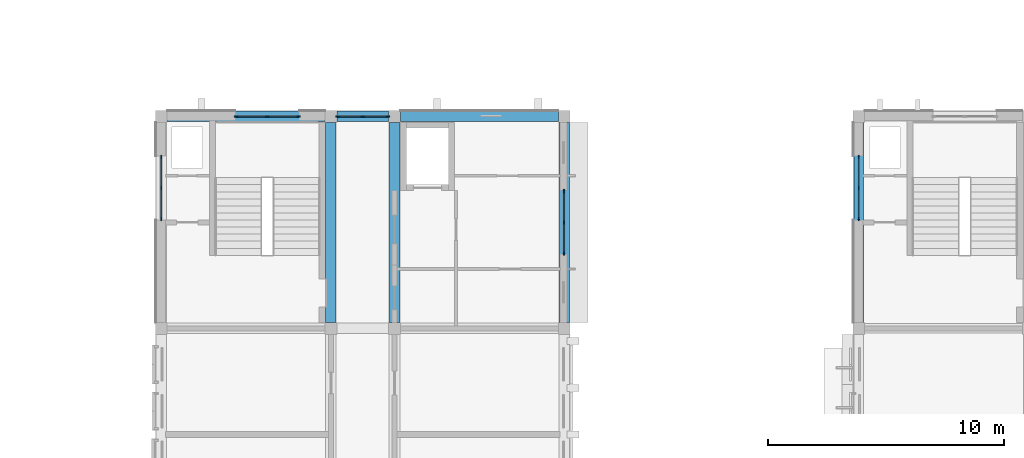
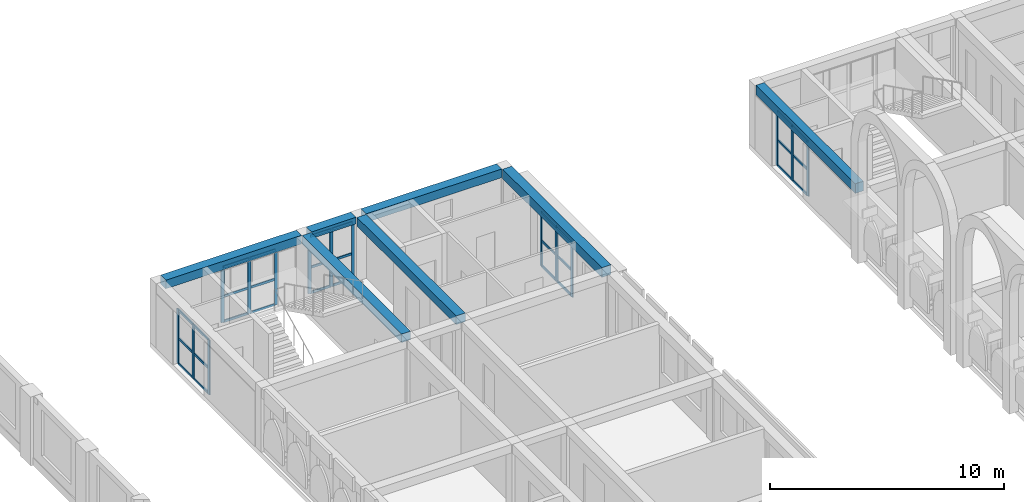
# One storey, part 19 of 70: 45 members, 7 beams, 5 elements without a shape of their own.
"""IFC4 building model written with IfcOpenShell, lengths in metres."""

from ifc_helpers import new_model, si_unit, direction, frame, origin, origin_2d, place, context, subcontext, project, spatial, rectangle, extrude, material, layer, layer_set, material_profile, profile_set, type_object, element, aggregate, save


model = new_model("IFC4")

# Units and contexts
model_context = context("Model", 3, precision=1e-05, world=origin(), true_north=direction((0.0, 1.0)))
body_context = subcontext(model_context, "Body", "Model", "MODEL_VIEW")
ifc_project = project(units=[si_unit("LENGTHUNIT", "METRE"), si_unit("AREAUNIT", "SQUARE_METRE"), si_unit("VOLUMEUNIT", "CUBIC_METRE"), si_unit("PLANEANGLEUNIT", "RADIAN"), si_unit("MASSUNIT", "GRAM", prefix="KILO")], contexts=[model_context])

# Site, building, storey
site_placement = place(None, origin())
site = spatial("IfcSite", under=ifc_project, at=site_placement, CompositionType="ELEMENT")
building_placement = place(site_placement, origin())
building = spatial("IfcBuilding", under=site, at=building_placement, Name="Elbe Cascade School", CompositionType="ELEMENT")
storey_placement = place(building_placement, frame((0.0, 0.0, 8.10009765625)))
storey = spatial("IfcBuildingStorey", under=building, at=storey_placement, Name="L02", CompositionType="ELEMENT", Elevation=8.10009765625)

# Curtain wall, members
ifc_material_1 = material(Name="Aluminium frame with double glazing, bronze anodised", Category="aluminium")
ifc_layer = layer(ifc_material_1, 0.159912109375)
ifc_layer_set = layer_set([ifc_layer], Name="Aluminium frame with double glazing, bronze anodised")
curtain_wall_type = type_object("IfcCurtainWallType", Name="Bars envelope Curtain wall, aluminium, bronze anodised, storey-high slot", PredefinedType="NOTDEFINED", material=ifc_layer_set)
curtain_wall_1_placement = place(storey_placement, origin())
curtain_wall_1 = element("IfcCurtainWall", 1, at=curtain_wall_1_placement, inside=storey, type_object=curtain_wall_type, Name="Curtain wall CW4 A.L02.w6", PredefinedType="NOTDEFINED")
ifc_material_2 = material(Name="Aluminium mullion, bronze anodised", Category="aluminium")
ifc_material_profile_1 = material_profile(ifc_material_2, rectangle(XDim=0.06005859375, YDim=0.159912109375, at=origin_2d()), Name="Bars envelope Curtain wall mullion 60 x 160, aluminium, storey-high slot")
ifc_profile_set_1 = profile_set([ifc_material_profile_1], Name="Aluminium mullion, bronze anodised")
member_type_1 = type_object("IfcMemberType", Name="Bars envelope Curtain wall mullion 60 x 160, aluminium, storey-high slot", PredefinedType="MULLION", material=ifc_profile_set_1)
member_1_placement = place(storey_placement, frame((69.0, 55.639892578125, 0.0), z_axis=(0.0, 0.0, 1.0), x_axis=(-1.0, 0.0, 0.0)))
member_1 = element("IfcMember", 2, at=member_1_placement, type_object=member_type_1, Name="CW4 mullion 1", PredefinedType="MULLION", context=body_context, shape_type="SweptSolid", body=[
    extrude(rectangle(XDim=0.06005859375, YDim=0.159912109375, at=origin_2d()), origin(), (0.0, 0.0, 1.0), 2.849853515625),
])
member_2_placement = place(storey_placement, frame((69.0, 56.9599609375, 0.0), z_axis=(0.0, 0.0, 1.0), x_axis=(-1.0, 0.0, 0.0)))
member_2 = element("IfcMember", 3, at=member_2_placement, type_object=member_type_1, Name="CW4 mullion 2", PredefinedType="MULLION", context=body_context, shape_type="SweptSolid", body=[
    extrude(rectangle(XDim=0.06005859375, YDim=0.159912109375, at=origin_2d()), origin(), (0.0, 0.0, 1.0), 2.849853515625),
])
member_3_placement = place(storey_placement, frame((69.0, 58.280029296875, 0.0), z_axis=(0.0, 0.0, 1.0), x_axis=(-1.0, 0.0, 0.0)))
member_3 = element("IfcMember", 4, at=member_3_placement, type_object=member_type_1, Name="CW4 mullion 3", PredefinedType="MULLION", context=body_context, shape_type="SweptSolid", body=[
    extrude(rectangle(XDim=0.06005859375, YDim=0.159912109375, at=origin_2d()), origin(), (0.0, 0.0, 1.0), 2.849853515625),
])

curtain_wall_2_placement = place(storey_placement, origin())
curtain_wall_2 = element("IfcCurtainWall", 5, at=curtain_wall_2_placement, inside=storey, type_object=curtain_wall_type, Name="Curtain wall CW4 A.L02.e6", PredefinedType="NOTDEFINED")
member_4_placement = place(storey_placement, frame((86.10009765625, 56.820068359375, 0.0), z_axis=(0.0, 0.0, 1.0), x_axis=(1.0, 0.0, 0.0)))
member_4 = element("IfcMember", 6, at=member_4_placement, type_object=member_type_1, Name="CW4 mullion 1", PredefinedType="MULLION", context=body_context, shape_type="SweptSolid", body=[
    extrude(rectangle(XDim=0.06005859375, YDim=0.159912109375, at=origin_2d()), origin(), (0.0, 0.0, 1.0), 2.849853515625),
])
member_5_placement = place(storey_placement, frame((86.10009765625, 55.5, 0.0), z_axis=(0.0, 0.0, 1.0), x_axis=(1.0, 0.0, 0.0)))
member_5 = element("IfcMember", 7, at=member_5_placement, type_object=member_type_1, Name="CW4 mullion 2", PredefinedType="MULLION", context=body_context, shape_type="SweptSolid", body=[
    extrude(rectangle(XDim=0.06005859375, YDim=0.159912109375, at=origin_2d()), origin(), (0.0, 0.0, 1.0), 2.849853515625),
])
member_6_placement = place(storey_placement, frame((86.10009765625, 54.179931640625, 0.0), z_axis=(0.0, 0.0, 1.0), x_axis=(1.0, 0.0, 0.0)))
member_6 = element("IfcMember", 8, at=member_6_placement, type_object=member_type_1, Name="CW4 mullion 3", PredefinedType="MULLION", context=body_context, shape_type="SweptSolid", body=[
    extrude(rectangle(XDim=0.06005859375, YDim=0.159912109375, at=origin_2d()), origin(), (0.0, 0.0, 1.0), 2.849853515625),
])

curtain_wall_3_placement = place(storey_placement, origin())
curtain_wall_3 = element("IfcCurtainWall", 9, at=curtain_wall_3_placement, inside=storey, type_object=curtain_wall_type, Name="Curtain wall CW4 A.L02.n1", PredefinedType="NOTDEFINED")
member_7_placement = place(storey_placement, frame((72.179931640625, 60.0, 0.0), z_axis=(0.0, 0.0, 1.0), x_axis=(0.0, 1.0, 0.0)))
member_7 = element("IfcMember", 10, at=member_7_placement, type_object=member_type_1, Name="CW4 mullion 1", PredefinedType="MULLION", context=body_context, shape_type="SweptSolid", body=[
    extrude(rectangle(XDim=0.06005859375, YDim=0.159912109375, at=origin_2d()), origin(), (0.0, 0.0, 1.0), 2.89990234375),
])
member_8_placement = place(storey_placement, frame((73.5, 60.0, 0.0), z_axis=(0.0, 0.0, 1.0), x_axis=(0.0, 1.0, 0.0)))
member_8 = element("IfcMember", 11, at=member_8_placement, type_object=member_type_1, Name="CW4 mullion 2", PredefinedType="MULLION", context=body_context, shape_type="SweptSolid", body=[
    extrude(rectangle(XDim=0.06005859375, YDim=0.159912109375, at=origin_2d()), origin(), (0.0, 0.0, 1.0), 2.89990234375),
])
member_9_placement = place(storey_placement, frame((74.820068359375, 60.0, 0.0), z_axis=(0.0, 0.0, 1.0), x_axis=(0.0, 1.0, 0.0)))
member_9 = element("IfcMember", 12, at=member_9_placement, type_object=member_type_1, Name="CW4 mullion 3", PredefinedType="MULLION", context=body_context, shape_type="SweptSolid", body=[
    extrude(rectangle(XDim=0.06005859375, YDim=0.159912109375, at=origin_2d()), origin(), (0.0, 0.0, 1.0), 2.89990234375),
])

curtain_wall_4_placement = place(storey_placement, origin())
curtain_wall_4 = element("IfcCurtainWall", 13, at=curtain_wall_4_placement, inside=storey, type_object=curtain_wall_type, Name="Curtain wall CW4 A.L02.n2", PredefinedType="NOTDEFINED")
member_10_placement = place(storey_placement, frame((76.47998046875, 60.0, 0.0), z_axis=(0.0, 0.0, 1.0), x_axis=(0.0, 1.0, 0.0)))
member_10 = element("IfcMember", 14, at=member_10_placement, type_object=member_type_1, Name="CW4 mullion 1", PredefinedType="MULLION", context=body_context, shape_type="SweptSolid", body=[
    extrude(rectangle(XDim=0.06005859375, YDim=0.159912109375, at=origin_2d()), origin(), (0.0, 0.0, 1.0), 3.0),
])
member_11_placement = place(storey_placement, frame((77.550048828125, 60.0, 0.0), z_axis=(0.0, 0.0, 1.0), x_axis=(0.0, 1.0, 0.0)))
member_11 = element("IfcMember", 15, at=member_11_placement, type_object=member_type_1, Name="CW4 mullion 2", PredefinedType="MULLION", context=body_context, shape_type="SweptSolid", body=[
    extrude(rectangle(XDim=0.06005859375, YDim=0.159912109375, at=origin_2d()), origin(), (0.0, 0.0, 1.0), 3.0),
])
member_12_placement = place(storey_placement, frame((78.6201171875, 60.0, 0.0), z_axis=(0.0, 0.0, 1.0), x_axis=(0.0, 1.0, 0.0)))
member_12 = element("IfcMember", 16, at=member_12_placement, type_object=member_type_1, Name="CW4 mullion 3", PredefinedType="MULLION", context=body_context, shape_type="SweptSolid", body=[
    extrude(rectangle(XDim=0.06005859375, YDim=0.159912109375, at=origin_2d()), origin(), (0.0, 0.0, 1.0), 3.0),
])

curtain_wall_5_placement = place(storey_placement, origin())
curtain_wall_5 = element("IfcCurtainWall", 17, at=curtain_wall_5_placement, inside=storey, type_object=curtain_wall_type, Name="Curtain wall CW4 B.L02.w6", PredefinedType="NOTDEFINED")
member_13_placement = place(storey_placement, frame((98.60009765625, 55.639892578125, 0.0), z_axis=(0.0, 0.0, 1.0), x_axis=(-1.0, 0.0, 0.0)))
member_13 = element("IfcMember", 18, at=member_13_placement, type_object=member_type_1, Name="CW4 mullion 1", PredefinedType="MULLION", context=body_context, shape_type="SweptSolid", body=[
    extrude(rectangle(XDim=0.06005859375, YDim=0.159912109375, at=origin_2d()), origin(), (0.0, 0.0, 1.0), 2.849853515625),
])
member_14_placement = place(storey_placement, frame((98.60009765625, 56.9599609375, 0.0), z_axis=(0.0, 0.0, 1.0), x_axis=(-1.0, 0.0, 0.0)))
member_14 = element("IfcMember", 19, at=member_14_placement, type_object=member_type_1, Name="CW4 mullion 2", PredefinedType="MULLION", context=body_context, shape_type="SweptSolid", body=[
    extrude(rectangle(XDim=0.06005859375, YDim=0.159912109375, at=origin_2d()), origin(), (0.0, 0.0, 1.0), 2.849853515625),
])
member_15_placement = place(storey_placement, frame((98.60009765625, 58.280029296875, 0.0), z_axis=(0.0, 0.0, 1.0), x_axis=(-1.0, 0.0, 0.0)))
member_15 = element("IfcMember", 20, at=member_15_placement, type_object=member_type_1, Name="CW4 mullion 3", PredefinedType="MULLION", context=body_context, shape_type="SweptSolid", body=[
    extrude(rectangle(XDim=0.06005859375, YDim=0.159912109375, at=origin_2d()), origin(), (0.0, 0.0, 1.0), 2.849853515625),
])

# Member
ifc_material_3 = material(Name="Aluminium transom, bronze anodised", Category="aluminium")
ifc_material_profile_2 = material_profile(ifc_material_3, rectangle(XDim=0.06005859375, YDim=0.1201171875, at=origin_2d()), Name="Bars envelope Curtain wall transom 60 x 120, aluminium, storey-high slot")
ifc_profile_set_2 = profile_set([ifc_material_profile_2], Name="Aluminium transom, bronze anodised")
member_type_2 = type_object("IfcMemberType", Name="Bars envelope Curtain wall transom 60 x 120, aluminium, storey-high slot", PredefinedType="USERDEFINED", material=ifc_profile_set_2)
member_16_placement = place(storey_placement, frame((69.0, 55.669921875, 0.02978515625), z_axis=(0.0, 1.0, 0.0), x_axis=(-1.0, 0.0, 0.0)))
member_16 = element("IfcMember", 21, at=member_16_placement, type_object=member_type_2, Name="CW4 transom 1.1", ObjectType="TRANSOM", PredefinedType="USERDEFINED", context=body_context, shape_type="SweptSolid", body=[
    extrude(rectangle(XDim=0.06005859375, YDim=0.1201171875, at=origin_2d()), origin(), (0.0, 0.0, 1.0), 1.260009765625),
])

member_17_placement = place(storey_placement, frame((69.0, 55.669921875, 1.349853515625), z_axis=(0.0, 1.0, 0.0), x_axis=(-1.0, 0.0, 0.0)))
member_17 = element("IfcMember", 22, at=member_17_placement, type_object=member_type_2, Name="CW4 transom 1.2", ObjectType="TRANSOM", PredefinedType="USERDEFINED", context=body_context, shape_type="SweptSolid", body=[
    extrude(rectangle(XDim=0.06005859375, YDim=0.1201171875, at=origin_2d()), origin(), (0.0, 0.0, 1.0), 1.260009765625),
])

member_18_placement = place(storey_placement, frame((69.0, 55.669921875, 2.81982421875), z_axis=(0.0, 1.0, 0.0), x_axis=(-1.0, 0.0, 0.0)))
member_18 = element("IfcMember", 23, at=member_18_placement, type_object=member_type_2, Name="CW4 transom 1.3", ObjectType="TRANSOM", PredefinedType="USERDEFINED", context=body_context, shape_type="SweptSolid", body=[
    extrude(rectangle(XDim=0.06005859375, YDim=0.1201171875, at=origin_2d()), origin(), (0.0, 0.0, 1.0), 1.260009765625),
])

member_19_placement = place(storey_placement, frame((69.0, 56.989990234375, 0.02978515625), z_axis=(0.0, 1.0, 0.0), x_axis=(-1.0, 0.0, 0.0)))
member_19 = element("IfcMember", 24, at=member_19_placement, type_object=member_type_2, Name="CW4 transom 2.1", ObjectType="TRANSOM", PredefinedType="USERDEFINED", context=body_context, shape_type="SweptSolid", body=[
    extrude(rectangle(XDim=0.06005859375, YDim=0.1201171875, at=origin_2d()), origin(), (0.0, 0.0, 1.0), 1.260009765625),
])

member_20_placement = place(storey_placement, frame((69.0, 56.989990234375, 1.349853515625), z_axis=(0.0, 1.0, 0.0), x_axis=(-1.0, 0.0, 0.0)))
member_20 = element("IfcMember", 25, at=member_20_placement, type_object=member_type_2, Name="CW4 transom 2.2", ObjectType="TRANSOM", PredefinedType="USERDEFINED", context=body_context, shape_type="SweptSolid", body=[
    extrude(rectangle(XDim=0.06005859375, YDim=0.1201171875, at=origin_2d()), origin(), (0.0, 0.0, 1.0), 1.260009765625),
])

member_21_placement = place(storey_placement, frame((69.0, 56.989990234375, 2.81982421875), z_axis=(0.0, 1.0, 0.0), x_axis=(-1.0, 0.0, 0.0)))
member_21 = element("IfcMember", 26, at=member_21_placement, type_object=member_type_2, Name="CW4 transom 2.3", ObjectType="TRANSOM", PredefinedType="USERDEFINED", context=body_context, shape_type="SweptSolid", body=[
    extrude(rectangle(XDim=0.06005859375, YDim=0.1201171875, at=origin_2d()), origin(), (0.0, 0.0, 1.0), 1.260009765625),
])

aggregate(curtain_wall_1, [member_1, member_2, member_3, member_16, member_17, member_18, member_19, member_20, member_21])

member_22_placement = place(storey_placement, frame((86.10009765625, 56.7900390625, 0.02978515625), z_axis=(0.0, -1.0, 0.0), x_axis=(1.0, 0.0, 0.0)))
member_22 = element("IfcMember", 27, at=member_22_placement, type_object=member_type_2, Name="CW4 transom 1.1", ObjectType="TRANSOM", PredefinedType="USERDEFINED", context=body_context, shape_type="SweptSolid", body=[
    extrude(rectangle(XDim=0.06005859375, YDim=0.1201171875, at=origin_2d()), origin(), (0.0, 0.0, 1.0), 1.260009765625),
])

member_23_placement = place(storey_placement, frame((86.10009765625, 56.7900390625, 1.349853515625), z_axis=(0.0, -1.0, 0.0), x_axis=(1.0, 0.0, 0.0)))
member_23 = element("IfcMember", 28, at=member_23_placement, type_object=member_type_2, Name="CW4 transom 1.2", ObjectType="TRANSOM", PredefinedType="USERDEFINED", context=body_context, shape_type="SweptSolid", body=[
    extrude(rectangle(XDim=0.06005859375, YDim=0.1201171875, at=origin_2d()), origin(), (0.0, 0.0, 1.0), 1.260009765625),
])

member_24_placement = place(storey_placement, frame((86.10009765625, 56.7900390625, 2.81982421875), z_axis=(0.0, -1.0, 0.0), x_axis=(1.0, 0.0, 0.0)))
member_24 = element("IfcMember", 29, at=member_24_placement, type_object=member_type_2, Name="CW4 transom 1.3", ObjectType="TRANSOM", PredefinedType="USERDEFINED", context=body_context, shape_type="SweptSolid", body=[
    extrude(rectangle(XDim=0.06005859375, YDim=0.1201171875, at=origin_2d()), origin(), (0.0, 0.0, 1.0), 1.260009765625),
])

member_25_placement = place(storey_placement, frame((86.10009765625, 55.469970703125, 0.02978515625), z_axis=(0.0, -1.0, 0.0), x_axis=(1.0, 0.0, 0.0)))
member_25 = element("IfcMember", 30, at=member_25_placement, type_object=member_type_2, Name="CW4 transom 2.1", ObjectType="TRANSOM", PredefinedType="USERDEFINED", context=body_context, shape_type="SweptSolid", body=[
    extrude(rectangle(XDim=0.06005859375, YDim=0.1201171875, at=origin_2d()), origin(), (0.0, 0.0, 1.0), 1.260009765625),
])

member_26_placement = place(storey_placement, frame((86.10009765625, 55.469970703125, 1.349853515625), z_axis=(0.0, -1.0, 0.0), x_axis=(1.0, 0.0, 0.0)))
member_26 = element("IfcMember", 31, at=member_26_placement, type_object=member_type_2, Name="CW4 transom 2.2", ObjectType="TRANSOM", PredefinedType="USERDEFINED", context=body_context, shape_type="SweptSolid", body=[
    extrude(rectangle(XDim=0.06005859375, YDim=0.1201171875, at=origin_2d()), origin(), (0.0, 0.0, 1.0), 1.260009765625),
])

member_27_placement = place(storey_placement, frame((86.10009765625, 55.469970703125, 2.81982421875), z_axis=(0.0, -1.0, 0.0), x_axis=(1.0, 0.0, 0.0)))
member_27 = element("IfcMember", 32, at=member_27_placement, type_object=member_type_2, Name="CW4 transom 2.3", ObjectType="TRANSOM", PredefinedType="USERDEFINED", context=body_context, shape_type="SweptSolid", body=[
    extrude(rectangle(XDim=0.06005859375, YDim=0.1201171875, at=origin_2d()), origin(), (0.0, 0.0, 1.0), 1.260009765625),
])

aggregate(curtain_wall_2, [member_4, member_5, member_6, member_22, member_23, member_24, member_25, member_26, member_27])

member_28_placement = place(storey_placement, frame((72.2099609375, 60.0, 0.02978515625), z_axis=(1.0, 0.0, 0.0), x_axis=(0.0, 1.0, 0.0)))
member_28 = element("IfcMember", 33, at=member_28_placement, type_object=member_type_2, Name="CW4 transom 1.1", ObjectType="TRANSOM", PredefinedType="USERDEFINED", context=body_context, shape_type="SweptSolid", body=[
    extrude(rectangle(XDim=0.06005859375, YDim=0.1201171875, at=origin_2d()), origin(), (0.0, 0.0, 1.0), 1.260009765625),
])

member_29_placement = place(storey_placement, frame((72.2099609375, 60.0, 1.349853515625), z_axis=(1.0, 0.0, 0.0), x_axis=(0.0, 1.0, 0.0)))
member_29 = element("IfcMember", 34, at=member_29_placement, type_object=member_type_2, Name="CW4 transom 1.2", ObjectType="TRANSOM", PredefinedType="USERDEFINED", context=body_context, shape_type="SweptSolid", body=[
    extrude(rectangle(XDim=0.06005859375, YDim=0.1201171875, at=origin_2d()), origin(), (0.0, 0.0, 1.0), 1.260009765625),
])

member_30_placement = place(storey_placement, frame((72.2099609375, 60.0, 2.869873046875), z_axis=(1.0, 0.0, 0.0), x_axis=(0.0, 1.0, 0.0)))
member_30 = element("IfcMember", 35, at=member_30_placement, type_object=member_type_2, Name="CW4 transom 1.3", ObjectType="TRANSOM", PredefinedType="USERDEFINED", context=body_context, shape_type="SweptSolid", body=[
    extrude(rectangle(XDim=0.06005859375, YDim=0.1201171875, at=origin_2d()), origin(), (0.0, 0.0, 1.0), 1.260009765625),
])

member_31_placement = place(storey_placement, frame((73.530029296875, 60.0, 0.02978515625), z_axis=(1.0, 0.0, 0.0), x_axis=(0.0, 1.0, 0.0)))
member_31 = element("IfcMember", 36, at=member_31_placement, type_object=member_type_2, Name="CW4 transom 2.1", ObjectType="TRANSOM", PredefinedType="USERDEFINED", context=body_context, shape_type="SweptSolid", body=[
    extrude(rectangle(XDim=0.06005859375, YDim=0.1201171875, at=origin_2d()), origin(), (0.0, 0.0, 1.0), 1.260009765625),
])

member_32_placement = place(storey_placement, frame((73.530029296875, 60.0, 1.349853515625), z_axis=(1.0, 0.0, 0.0), x_axis=(0.0, 1.0, 0.0)))
member_32 = element("IfcMember", 37, at=member_32_placement, type_object=member_type_2, Name="CW4 transom 2.2", ObjectType="TRANSOM", PredefinedType="USERDEFINED", context=body_context, shape_type="SweptSolid", body=[
    extrude(rectangle(XDim=0.06005859375, YDim=0.1201171875, at=origin_2d()), origin(), (0.0, 0.0, 1.0), 1.260009765625),
])

member_33_placement = place(storey_placement, frame((73.530029296875, 60.0, 2.869873046875), z_axis=(1.0, 0.0, 0.0), x_axis=(0.0, 1.0, 0.0)))
member_33 = element("IfcMember", 38, at=member_33_placement, type_object=member_type_2, Name="CW4 transom 2.3", ObjectType="TRANSOM", PredefinedType="USERDEFINED", context=body_context, shape_type="SweptSolid", body=[
    extrude(rectangle(XDim=0.06005859375, YDim=0.1201171875, at=origin_2d()), origin(), (0.0, 0.0, 1.0), 1.260009765625),
])

aggregate(curtain_wall_3, [member_7, member_8, member_9, member_28, member_29, member_30, member_31, member_32, member_33])

member_34_placement = place(storey_placement, frame((76.510009765625, 60.0, 0.02978515625), z_axis=(1.0, 0.0, 0.0), x_axis=(0.0, 1.0, 0.0)))
member_34 = element("IfcMember", 39, at=member_34_placement, type_object=member_type_2, Name="CW4 transom 1.1", ObjectType="TRANSOM", PredefinedType="USERDEFINED", context=body_context, shape_type="SweptSolid", body=[
    extrude(rectangle(XDim=0.06005859375, YDim=0.1201171875, at=origin_2d()), origin(), (0.0, 0.0, 1.0), 1.010009765625),
])

member_35_placement = place(storey_placement, frame((76.510009765625, 60.0, 1.349853515625), z_axis=(1.0, 0.0, 0.0), x_axis=(0.0, 1.0, 0.0)))
member_35 = element("IfcMember", 40, at=member_35_placement, type_object=member_type_2, Name="CW4 transom 1.2", ObjectType="TRANSOM", PredefinedType="USERDEFINED", context=body_context, shape_type="SweptSolid", body=[
    extrude(rectangle(XDim=0.06005859375, YDim=0.1201171875, at=origin_2d()), origin(), (0.0, 0.0, 1.0), 1.010009765625),
])

member_36_placement = place(storey_placement, frame((76.510009765625, 60.0, 2.969970703125), z_axis=(1.0, 0.0, 0.0), x_axis=(0.0, 1.0, 0.0)))
member_36 = element("IfcMember", 41, at=member_36_placement, type_object=member_type_2, Name="CW4 transom 1.3", ObjectType="TRANSOM", PredefinedType="USERDEFINED", context=body_context, shape_type="SweptSolid", body=[
    extrude(rectangle(XDim=0.06005859375, YDim=0.1201171875, at=origin_2d()), origin(), (0.0, 0.0, 1.0), 1.010009765625),
])

member_37_placement = place(storey_placement, frame((77.580078125, 60.0, 0.02978515625), z_axis=(1.0, 0.0, 0.0), x_axis=(0.0, 1.0, 0.0)))
member_37 = element("IfcMember", 42, at=member_37_placement, type_object=member_type_2, Name="CW4 transom 2.1", ObjectType="TRANSOM", PredefinedType="USERDEFINED", context=body_context, shape_type="SweptSolid", body=[
    extrude(rectangle(XDim=0.06005859375, YDim=0.1201171875, at=origin_2d()), origin(), (0.0, 0.0, 1.0), 1.010009765625),
])

member_38_placement = place(storey_placement, frame((77.580078125, 60.0, 1.349853515625), z_axis=(1.0, 0.0, 0.0), x_axis=(0.0, 1.0, 0.0)))
member_38 = element("IfcMember", 43, at=member_38_placement, type_object=member_type_2, Name="CW4 transom 2.2", ObjectType="TRANSOM", PredefinedType="USERDEFINED", context=body_context, shape_type="SweptSolid", body=[
    extrude(rectangle(XDim=0.06005859375, YDim=0.1201171875, at=origin_2d()), origin(), (0.0, 0.0, 1.0), 1.010009765625),
])

member_39_placement = place(storey_placement, frame((77.580078125, 60.0, 2.969970703125), z_axis=(1.0, 0.0, 0.0), x_axis=(0.0, 1.0, 0.0)))
member_39 = element("IfcMember", 44, at=member_39_placement, type_object=member_type_2, Name="CW4 transom 2.3", ObjectType="TRANSOM", PredefinedType="USERDEFINED", context=body_context, shape_type="SweptSolid", body=[
    extrude(rectangle(XDim=0.06005859375, YDim=0.1201171875, at=origin_2d()), origin(), (0.0, 0.0, 1.0), 1.010009765625),
])

aggregate(curtain_wall_4, [member_10, member_11, member_12, member_34, member_35, member_36, member_37, member_38, member_39])

member_40_placement = place(storey_placement, frame((98.60009765625, 55.669921875, 0.02978515625), z_axis=(0.0, 1.0, 0.0), x_axis=(-1.0, 0.0, 0.0)))
member_40 = element("IfcMember", 45, at=member_40_placement, type_object=member_type_2, Name="CW4 transom 1.1", ObjectType="TRANSOM", PredefinedType="USERDEFINED", context=body_context, shape_type="SweptSolid", body=[
    extrude(rectangle(XDim=0.06005859375, YDim=0.1201171875, at=origin_2d()), origin(), (0.0, 0.0, 1.0), 1.260009765625),
])

member_41_placement = place(storey_placement, frame((98.60009765625, 55.669921875, 1.349853515625), z_axis=(0.0, 1.0, 0.0), x_axis=(-1.0, 0.0, 0.0)))
member_41 = element("IfcMember", 46, at=member_41_placement, type_object=member_type_2, Name="CW4 transom 1.2", ObjectType="TRANSOM", PredefinedType="USERDEFINED", context=body_context, shape_type="SweptSolid", body=[
    extrude(rectangle(XDim=0.06005859375, YDim=0.1201171875, at=origin_2d()), origin(), (0.0, 0.0, 1.0), 1.260009765625),
])

member_42_placement = place(storey_placement, frame((98.60009765625, 55.669921875, 2.81982421875), z_axis=(0.0, 1.0, 0.0), x_axis=(-1.0, 0.0, 0.0)))
member_42 = element("IfcMember", 47, at=member_42_placement, type_object=member_type_2, Name="CW4 transom 1.3", ObjectType="TRANSOM", PredefinedType="USERDEFINED", context=body_context, shape_type="SweptSolid", body=[
    extrude(rectangle(XDim=0.06005859375, YDim=0.1201171875, at=origin_2d()), origin(), (0.0, 0.0, 1.0), 1.260009765625),
])

member_43_placement = place(storey_placement, frame((98.60009765625, 56.989990234375, 0.02978515625), z_axis=(0.0, 1.0, 0.0), x_axis=(-1.0, 0.0, 0.0)))
member_43 = element("IfcMember", 48, at=member_43_placement, type_object=member_type_2, Name="CW4 transom 2.1", ObjectType="TRANSOM", PredefinedType="USERDEFINED", context=body_context, shape_type="SweptSolid", body=[
    extrude(rectangle(XDim=0.06005859375, YDim=0.1201171875, at=origin_2d()), origin(), (0.0, 0.0, 1.0), 1.260009765625),
])

member_44_placement = place(storey_placement, frame((98.60009765625, 56.989990234375, 1.349853515625), z_axis=(0.0, 1.0, 0.0), x_axis=(-1.0, 0.0, 0.0)))
member_44 = element("IfcMember", 49, at=member_44_placement, type_object=member_type_2, Name="CW4 transom 2.2", ObjectType="TRANSOM", PredefinedType="USERDEFINED", context=body_context, shape_type="SweptSolid", body=[
    extrude(rectangle(XDim=0.06005859375, YDim=0.1201171875, at=origin_2d()), origin(), (0.0, 0.0, 1.0), 1.260009765625),
])

member_45_placement = place(storey_placement, frame((98.60009765625, 56.989990234375, 2.81982421875), z_axis=(0.0, 1.0, 0.0), x_axis=(-1.0, 0.0, 0.0)))
member_45 = element("IfcMember", 50, at=member_45_placement, type_object=member_type_2, Name="CW4 transom 2.3", ObjectType="TRANSOM", PredefinedType="USERDEFINED", context=body_context, shape_type="SweptSolid", body=[
    extrude(rectangle(XDim=0.06005859375, YDim=0.1201171875, at=origin_2d()), origin(), (0.0, 0.0, 1.0), 1.260009765625),
])

aggregate(curtain_wall_5, [member_13, member_14, member_15, member_40, member_41, member_42, member_43, member_44, member_45])

# Beams
ifc_material_4 = material(Name="Concrete C30/37", Category="concrete")
ifc_material_profile_3 = material_profile(ifc_material_4, rectangle(XDim=0.39990234375, YDim=0.5, at=origin_2d()), Name="RC 400x500")
ifc_profile_set_3 = profile_set([ifc_material_profile_3], Name="Concrete C30/37")
beam_type_1 = type_object("IfcBeamType", Name="RC 400x500 beam", PredefinedType="BEAM", material=ifc_profile_set_3)
beam_1_placement = place(storey_placement, frame((98.60009765625, 51.25, 3.099853515625), z_axis=(0.0, 1.0, 0.0), x_axis=(-1.0, 0.0, 0.0)))
element("IfcBeam", 51, at=beam_1_placement, inside=storey, type_object=beam_type_1, Name="RC 400x500 beam B1", PredefinedType="BEAM", context=body_context, shape_type="SweptSolid", body=[
    extrude(rectangle(XDim=0.39990234375, YDim=0.5, at=origin_2d()), origin(), (0.0, 0.0, 1.0), 8.5),
])
ifc_material_5 = material(Name="Concrete C30/37", Category="concrete")
ifc_material_profile_4 = material_profile(ifc_material_5, rectangle(XDim=0.449951171875, YDim=0.35009765625, at=origin_2d()), Name="RC 450x350")
ifc_profile_set_4 = profile_set([ifc_material_profile_4], Name="Concrete C30/37")
beam_type_2 = type_object("IfcBeamType", Name="RC 450x350 beam", PredefinedType="BEAM", material=ifc_profile_set_4)
beam_2_placement = place(storey_placement, frame((76.449951171875, 60.0, 3.1748046875), z_axis=(1.0, 0.0, 0.0), x_axis=(0.0, 1.0, 0.0)))
element("IfcBeam", 52, at=beam_2_placement, inside=storey, type_object=beam_type_2, Name="RC 450x350 beam B11", PredefinedType="BEAM", context=body_context, shape_type="SweptSolid", body=[
    extrude(rectangle(XDim=0.449951171875, YDim=0.35009765625, at=origin_2d()), origin(), (0.0, 0.0, 1.0), 2.199951171875),
])
ifc_material_6 = material(Name="Concrete C30/37", Category="concrete")
ifc_material_profile_5 = material_profile(ifc_material_6, rectangle(XDim=0.449951171875, YDim=0.449951171875, at=origin_2d()), Name="RC 450x450")
ifc_profile_set_5 = profile_set([ifc_material_profile_5], Name="Concrete C30/37")
beam_type_3 = type_object("IfcBeamType", Name="RC 450x450 beam", PredefinedType="BEAM", material=ifc_profile_set_5)
for number, where, z_axis, x_axis, name in (
    (53, (76.199951171875, 51.25, 3.125), (0.0, 1.0, 0.0), (-1.0, 0.0, 0.0), "RC 450x450 beam B10"),
    (54, (78.89990234375, 51.25, 3.125), (0.0, 1.0, 0.0), (-1.0, 0.0, 0.0), "RC 450x450 beam B10"),
):
    element("IfcBeam", number, at=place(storey_placement, frame(where, z_axis=z_axis, x_axis=x_axis)), inside=storey, type_object=beam_type_3, Name=name, PredefinedType="BEAM", context=body_context, shape_type="SweptSolid", body=[
        extrude(rectangle(XDim=0.449951171875, YDim=0.449951171875, at=origin_2d()), origin(), (0.0, 0.0, 1.0), 8.5),
    ])
beam_3_placement = place(storey_placement, frame((69.25, 60.0, 3.125), z_axis=(1.0, 0.0, 0.0), x_axis=(0.0, 1.0, 0.0)))
element("IfcBeam", 55, at=beam_3_placement, inside=storey, type_object=beam_type_3, Name="RC 450x450 beam B10", PredefinedType="BEAM", context=body_context, shape_type="SweptSolid", body=[
    extrude(rectangle(XDim=0.449951171875, YDim=0.449951171875, at=origin_2d()), origin(), (0.0, 0.0, 1.0), 6.699951171875),
])
beam_4_placement = place(storey_placement, frame((79.14990234375, 60.0, 3.125), z_axis=(1.0, 0.0, 0.0), x_axis=(0.0, 1.0, 0.0)))
element("IfcBeam", 56, at=beam_4_placement, inside=storey, type_object=beam_type_3, Name="RC 450x450 beam B10", PredefinedType="BEAM", context=body_context, shape_type="SweptSolid", body=[
    extrude(rectangle(XDim=0.449951171875, YDim=0.449951171875, at=origin_2d()), origin(), (0.0, 0.0, 1.0), 6.7001953125),
])
ifc_material_7 = material(Name="Concrete C30/37", Category="concrete")
ifc_material_profile_6 = material_profile(ifc_material_7, rectangle(XDim=0.449951171875, YDim=0.5, at=origin_2d()), Name="RC 450x500")
ifc_profile_set_6 = profile_set([ifc_material_profile_6], Name="Concrete C30/37")
beam_type_4 = type_object("IfcBeamType", Name="RC 450x500 beam", PredefinedType="BEAM", material=ifc_profile_set_6)
beam_5_placement = place(storey_placement, frame((86.10009765625, 51.25, 3.099853515625), z_axis=(0.0, 1.0, 0.0), x_axis=(-1.0, 0.0, 0.0)))
element("IfcBeam", 57, at=beam_5_placement, inside=storey, type_object=beam_type_4, Name="RC 450x500 beam B9", PredefinedType="BEAM", context=body_context, shape_type="SweptSolid", body=[
    extrude(rectangle(XDim=0.449951171875, YDim=0.5, at=origin_2d()), origin(), (0.0, 0.0, 1.0), 8.5),
])

save(model, "model.ifc")
